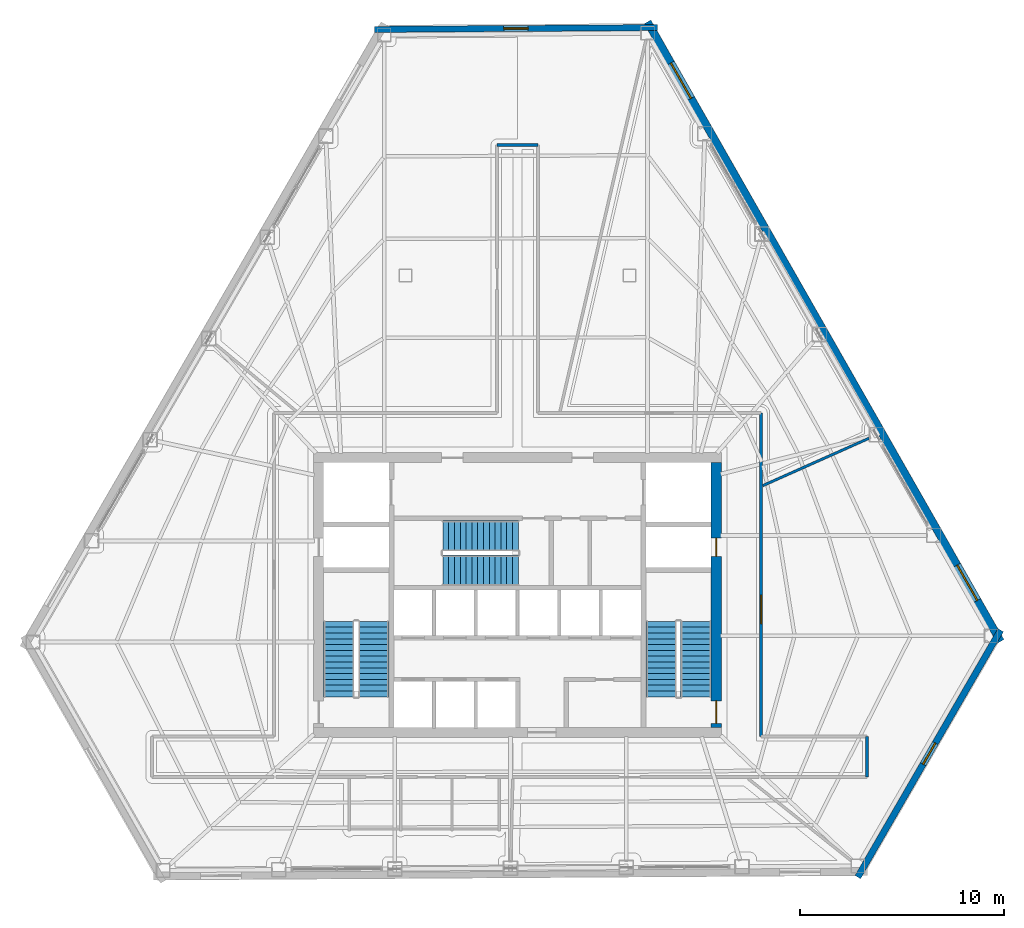
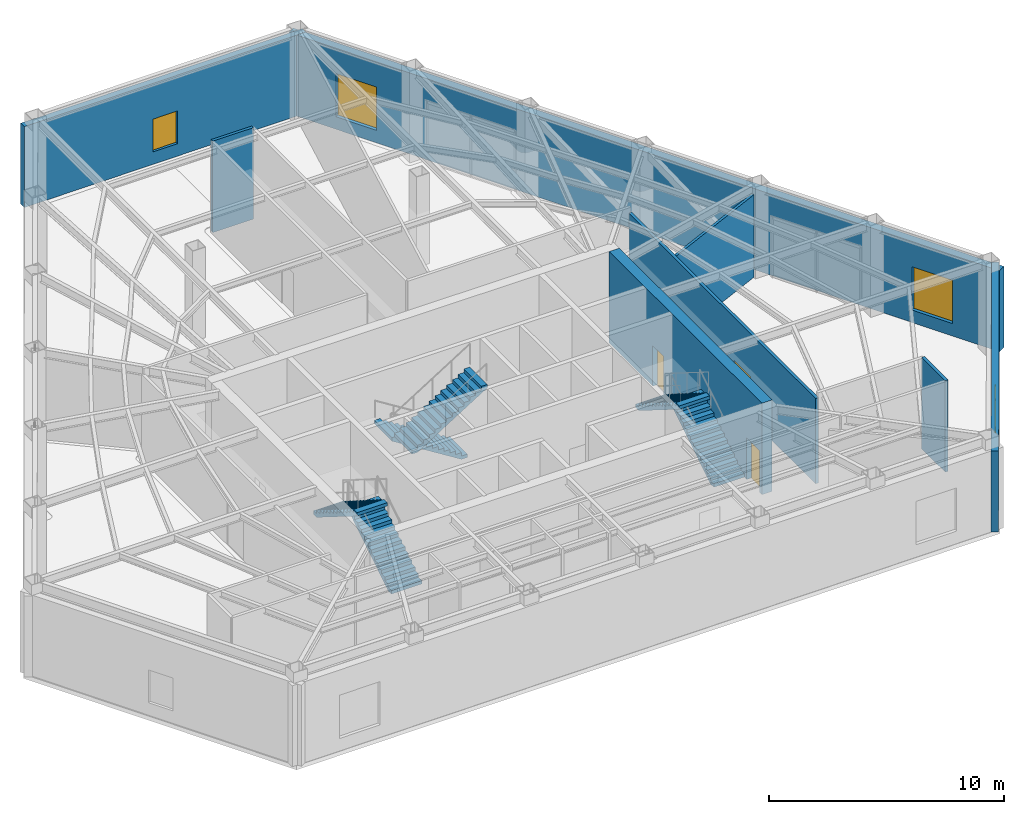
# One storey, part 11 of 14: 8 walls, 6 stair flights, 4 windows, 3 doors, 7 openings, 3 elements without a shape of their own.
"""IFC4 building model written with IfcOpenShell, lengths in metres."""

from ifc_helpers import new_model, si_unit, direction, frame, frame_2d, origin, place, context, subcontext, project, spatial, polyline, rectangle, outline, extrude, material, layer, layer_set, type_object, element, fill, aggregate, save


model = new_model("IFC4")

# Units and contexts
model_context = context("Model", 3, precision=1e-05, world=origin(), true_north=direction((0.0, 1.0)))
body_context = subcontext(model_context, "Body", "Model", "MODEL_VIEW")
ifc_project = project(units=[si_unit("LENGTHUNIT", "METRE"), si_unit("AREAUNIT", "SQUARE_METRE"), si_unit("VOLUMEUNIT", "CUBIC_METRE"), si_unit("PLANEANGLEUNIT", "RADIAN"), si_unit("MASSUNIT", "GRAM", prefix="KILO")], contexts=[model_context])

# Site, building, storey
site_placement = place(None, origin())
site = spatial("IfcSite", under=ifc_project, at=site_placement, CompositionType="ELEMENT")
building_placement = place(site_placement, origin())
building = spatial("IfcBuilding", under=site, at=building_placement, Name="Kavelnor Concourse Tower", CompositionType="ELEMENT")
storey_placement = place(building_placement, frame((0.0, 0.0, 80.5)))
storey = spatial("IfcBuildingStorey", under=building, at=storey_placement, Name="L20", CompositionType="ELEMENT", Elevation=80.5)

# Wall, openings, doors
ifc_material_1 = material(Name="Concrete C60/75", Category="concrete")
ifc_layer_1 = layer(ifc_material_1, 0.5, Name="Concrete C60/75")
ifc_layer_set_1 = layer_set([ifc_layer_1], Name="Concrete C60/75")
wall_type_1 = type_object("IfcWallType", Name="WL-CORE-Z2-500", PredefinedType="SOLIDWALL", material=ifc_layer_set_1)
wall_1_placement = place(storey_placement, frame((47.77001953125, 9.60009765625, 0.0), z_axis=(0.0, 0.0, 1.0), x_axis=(0.0, 1.0, 0.0)))
wall_1 = element("IfcWall", 1, at=wall_1_placement, inside=storey, type_object=wall_type_1, Name="L20 Central Core East Shear Wall", PredefinedType="SOLIDWALL", context=body_context, shape_type="SweptSolid", body=[
    extrude(rectangle(XDim=13.0, YDim=0.5, at=frame_2d((6.5, 0.0))), origin(), (0.0, 0.0, 1.0), 4.75),
])
opening_1_placement = place(wall_1_placement, frame((0.199951171875, 0.0, 0.0)))
opening_1 = element("IfcOpeningElement", 2, at=opening_1_placement, cuts=wall_1, Name="Opening FD-110", PredefinedType="OPENING", context=body_context, shape_type="SweptSolid", body=[
    extrude(rectangle(XDim=1.10009765625, YDim=2.14990234375, at=frame_2d((0.550048828125, 1.074951171875))), frame((0.0, 0.260009765625, 0.0), z_axis=(0.0, -1.0, 0.0), x_axis=(1.0, 0.0, 0.0)), (0.0, 0.0, 1.0), 0.52001953125),
])
opening_2_placement = place(wall_1_placement, frame((8.39990234375, 0.0, 0.0)))
opening_2 = element("IfcOpeningElement", 3, at=opening_2_placement, cuts=wall_1, Name="Opening FD-090", PredefinedType="OPENING", context=body_context, shape_type="SweptSolid", body=[
    extrude(rectangle(XDim=0.89990234375, YDim=2.10009765625, at=frame_2d((0.449951171875, 1.050048828125))), frame((0.0, 0.260009765625, 0.0), z_axis=(0.0, -1.0, 0.0), x_axis=(1.0, 0.0, 0.0)), (0.0, 0.0, 1.0), 0.52001953125),
])
ifc_material_2 = material(Name="Steel Grade 350", Category="steel")
door_type_1 = type_object("IfcDoorType", Name="DR-RISER-FIRE-900", OperationType="NOTDEFINED", PredefinedType="DOOR", material=ifc_material_2)
door_1_placement = place(opening_2_placement, origin())
door_1 = element("IfcDoor", 4, at=door_1_placement, inside=storey, type_object=door_type_1, Name="L20 East Riser Access Door", OperationType="SINGLE_SWING_LEFT", OverallHeight=2.10009765625, OverallWidth=0.89990234375, PredefinedType="DOOR", context=body_context, shape_type="SweptSolid", body=[
    extrude(rectangle(XDim=0.89990234375, YDim=2.10009765625, at=frame_2d((0.449951171875, 1.050048828125))), frame((0.0, 0.02490234375, 0.0), z_axis=(0.0, -1.0, 0.0), x_axis=(1.0, 0.0, 0.0)), (0.0, 0.0, 1.0), 0.050048828125),
])
fill(opening_2, door_1)
door_type_2 = type_object("IfcDoorType", Name="DR-STAIR-FIRE-1100", OperationType="NOTDEFINED", PredefinedType="DOOR", material=ifc_material_2)
door_2_placement = place(opening_1_placement, origin())
door_2 = element("IfcDoor", 5, at=door_2_placement, inside=storey, type_object=door_type_2, Name="L20 Stair ST2 Fire Door", OperationType="SINGLE_SWING_RIGHT", OverallHeight=2.14990234375, OverallWidth=1.10009765625, PredefinedType="DOOR", context=body_context, shape_type="SweptSolid", body=[
    extrude(rectangle(XDim=1.10009765625, YDim=2.14990234375, at=frame_2d((0.550048828125, 1.074951171875))), frame((0.0, 0.02490234375, 0.0), z_axis=(0.0, -1.0, 0.0), x_axis=(1.0, 0.0, 0.0)), (0.0, 0.0, 1.0), 0.050048828125),
])
fill(opening_1, door_2)

# Wall, opening, window
ifc_material_3 = material(Name="Buff ironspot clay face brick masonry", Category="masonry")
ifc_layer_2 = layer(ifc_material_3, 0.300048828125, Name="Buff ironspot clay face brick masonry")
ifc_layer_set_2 = layer_set([ifc_layer_2], Name="Buff ironspot clay face brick masonry")
wall_type_2 = type_object("IfcWallType", Name="WL-EXT-BUFF-BRICK-FOLD-300", PredefinedType="STANDARD", material=ifc_layer_set_2)
wall_2_placement = place(storey_placement, frame((30.981201171875, 43.8896484375, 0.0), z_axis=(0.0, 0.0, 1.0), x_axis=(0.999979308796, 0.006432882677, 0.0)))
wall_2 = element("IfcWall", 6, at=wall_2_placement, inside=storey, type_object=wall_type_2, Name="L20 Exterior Brick Facade Wall E0", PredefinedType="STANDARD", context=body_context, shape_type="SweptSolid", body=[
    extrude(rectangle(XDim=13.890380859375, YDim=0.300048828125, at=frame_2d((6.9453125, 0.0))), origin(), (0.0, 0.0, 1.0), 4.208984375),
])
opening_3_placement = place(wall_2_placement, frame((6.34521484375, 0.0, 0.64990234375)))
opening_3 = element("IfcOpeningElement", 7, at=opening_3_placement, cuts=wall_2, Name="Opening W-05", PredefinedType="OPENING", context=body_context, shape_type="SweptSolid", body=[
    extrude(rectangle(XDim=1.199951171875, YDim=1.699951171875, at=frame_2d((0.60009765625, 0.85009765625))), frame((0.0, 0.16015625, 0.0), z_axis=(0.0, -1.0, 0.0), x_axis=(1.0, 0.0, 0.0)), (0.0, 0.0, 1.0), 0.320068359375),
])
ifc_material_4 = material(Name="Double low-E argon insulated glazing", Category="glass")
window_type_1 = type_object("IfcWindowType", Name="WIN-FOLD-1200", PartitioningType="SINGLE_PANEL", PredefinedType="WINDOW", material=ifc_material_4)
window_1_placement = place(opening_3_placement, origin())
window_1 = element("IfcWindow", 8, at=window_1_placement, inside=storey, type_object=window_type_1, Name="L20 Chamfer-Fold Facet Window C0", OverallHeight=1.699951171875, OverallWidth=1.199951171875, PartitioningType="SINGLE_PANEL", PredefinedType="WINDOW", context=body_context, shape_type="SweptSolid", body=[
    extrude(rectangle(XDim=1.199951171875, YDim=1.699951171875, at=frame_2d((0.60009765625, 0.85009765625))), frame((0.0, 0.030029296875, 0.0), z_axis=(0.0, -1.0, 0.0), x_axis=(1.0, 0.0, 0.0)), (0.0, 0.0, 1.0), 0.06005859375),
])
fill(opening_3, window_1)

ifc_layer_3 = layer(ifc_material_3, 0.320068359375, Name="Buff ironspot clay face brick masonry")
ifc_layer_set_3 = layer_set([ifc_layer_3], Name="Buff ironspot clay face brick masonry")
wall_type_3 = type_object("IfcWallType", Name="WL-EXT-BUFF-BRICK-SPANDREL-320", PredefinedType="STANDARD", material=ifc_layer_set_3)
wall_3_placement = place(storey_placement, frame((61.740234375, 14.37548828125, 0.0), z_axis=(0.0, 0.0, 1.0), x_axis=(-0.50077538948, -0.865577269394, 0.0)))
wall_3 = element("IfcWall", 9, at=wall_3_placement, inside=storey, type_object=wall_type_3, Name="L20 Exterior Brick Facade Wall E4", PredefinedType="STANDARD", context=body_context, shape_type="SweptSolid", body=[
    extrude(rectangle(XDim=14.019287109375, YDim=0.320068359375, at=frame_2d((7.009765625, 0.0))), origin(), (0.0, 0.0, 1.0), 4.208984375),
])
opening_4_placement = place(wall_3_placement, frame((6.40966796875, 0.0, 0.64990234375)))
opening_4 = element("IfcOpeningElement", 10, at=opening_4_placement, cuts=wall_3, Name="Opening W-05", PredefinedType="OPENING", context=body_context, shape_type="SweptSolid", body=[
    extrude(rectangle(XDim=1.199951171875, YDim=1.699951171875, at=frame_2d((0.60009765625, 0.85009765625))), frame((0.0, 0.169921875, 0.0), z_axis=(0.0, -1.0, 0.0), x_axis=(1.0, 0.0, 0.0)), (0.0, 0.0, 1.0), 0.340087890625),
])
window_2_placement = place(opening_4_placement, origin())
window_2 = element("IfcWindow", 11, at=window_2_placement, inside=storey, type_object=window_type_1, Name="L20 Chamfer-Fold Facet Window C2", OverallHeight=1.699951171875, OverallWidth=1.199951171875, PartitioningType="SINGLE_PANEL", PredefinedType="WINDOW", context=body_context, shape_type="SweptSolid", body=[
    extrude(rectangle(XDim=1.199951171875, YDim=1.699951171875, at=frame_2d((0.60009765625, 0.85009765625))), frame((0.0, 0.030029296875, 0.0), z_axis=(0.0, -1.0, 0.0), x_axis=(1.0, 0.0, 0.0)), (0.0, 0.0, 1.0), 0.06005859375),
])
fill(opening_4, window_2)

# Wall, openings, windows
ifc_material_5 = material(Name="Red-ochre clay face brick masonry", Category="masonry")
ifc_layer_4 = layer(ifc_material_5, 0.3798828125, Name="Red-ochre clay face brick masonry")
ifc_layer_set_4 = layer_set([ifc_layer_4], Name="Red-ochre clay face brick masonry")
wall_type_4 = type_object("IfcWallType", Name="WL-EXT-RED-BRICK-PIER-380", PredefinedType="STANDARD", material=ifc_layer_set_4)
wall_4_placement = place(storey_placement, frame((44.388671875, 44.25732421875, 0.0), z_axis=(0.0, 0.0, 1.0), x_axis=(0.495210354805, -0.868773102999, 0.0)))
wall_4 = element("IfcWall", 12, at=wall_4_placement, inside=storey, type_object=wall_type_4, Name="L20 Exterior Brick Facade Wall E5", PredefinedType="STANDARD", context=body_context, shape_type="SweptSolid", body=[
    extrude(rectangle(XDim=35.035400390625, YDim=0.3798828125, at=frame_2d((17.517578125, 0.0))), origin(), (0.0, 0.0, 1.0), 4.208984375),
])
opening_5_placement = place(wall_4_placement, frame((30.719970703125, 0.0, 0.64990234375)))
opening_5 = element("IfcOpeningElement", 13, at=opening_5_placement, cuts=wall_4, Name="Opening W-07", PredefinedType="OPENING", context=body_context, shape_type="SweptSolid", body=[
    extrude(rectangle(XDim=2.0, YDim=2.25, at=frame_2d((1.0, 1.125))), frame((0.0, 0.199951171875, 0.0), z_axis=(0.0, -1.0, 0.0), x_axis=(1.0, 0.0, 0.0)), (0.0, 0.0, 1.0), 0.39990234375),
])
opening_6_placement = place(wall_4_placement, frame((2.32080078125, 0.0, 0.64990234375)))
opening_6 = element("IfcOpeningElement", 14, at=opening_6_placement, cuts=wall_4, Name="Opening W-07", PredefinedType="OPENING", context=body_context, shape_type="SweptSolid", body=[
    extrude(rectangle(XDim=2.0, YDim=2.25, at=frame_2d((1.0, 1.125))), frame((0.0, 0.199951171875, 0.0), z_axis=(0.0, -1.0, 0.0), x_axis=(1.0, 0.0, 0.0)), (0.0, 0.0, 1.0), 0.39990234375),
])
window_type_2 = type_object("IfcWindowType", Name="WIN-SKYLOBBY-2200", PartitioningType="SINGLE_PANEL", PredefinedType="WINDOW", material=ifc_material_4)
window_3_placement = place(opening_5_placement, origin())
window_3 = element("IfcWindow", 15, at=window_3_placement, inside=storey, type_object=window_type_2, Name="L20 Deep-Set Brick Pier Window F2-B0", OverallHeight=2.25, OverallWidth=2.0, PartitioningType="SINGLE_PANEL", PredefinedType="WINDOW", context=body_context, shape_type="SweptSolid", body=[
    extrude(rectangle(XDim=2.0, YDim=2.25, at=frame_2d((1.0, 1.125))), frame((0.0, 0.030029296875, 0.0), z_axis=(0.0, -1.0, 0.0), x_axis=(1.0, 0.0, 0.0)), (0.0, 0.0, 1.0), 0.06005859375),
])
fill(opening_5, window_3)
window_4_placement = place(opening_6_placement, origin())
window_4 = element("IfcWindow", 16, at=window_4_placement, inside=storey, type_object=window_type_2, Name="L20 Deep-Set Brick Pier Window F2-B5", OverallHeight=2.25, OverallWidth=2.0, PartitioningType="SINGLE_PANEL", PredefinedType="WINDOW", context=body_context, shape_type="SweptSolid", body=[
    extrude(rectangle(XDim=2.0, YDim=2.25, at=frame_2d((1.0, 1.125))), frame((0.0, 0.030029296875, 0.0), z_axis=(0.0, -1.0, 0.0), x_axis=(1.0, 0.0, 0.0)), (0.0, 0.0, 1.0), 0.06005859375),
])
fill(opening_6, window_4)

# Wall
ifc_material_6 = material(Name="Gypsum plasterboard on light-gauge steel studs", Category="steel")
ifc_layer_5 = layer(ifc_material_6, 0.14501953125, Name="Gypsum plasterboard on light-gauge steel studs")
ifc_layer_set_5 = layer_set([ifc_layer_5], Name="Gypsum plasterboard on light-gauge steel studs")
wall_type_5 = type_object("IfcWallType", Name="WL-INT-CORR-145", PredefinedType="PARTITIONING", material=ifc_layer_set_5)
wall_5_placement = place(storey_placement, frame((37.0, 38.199951171875, 0.0), z_axis=(0.0, 0.0, 1.0), x_axis=(1.0, 0.0, 0.0)))
element("IfcWall", 17, at=wall_5_placement, inside=storey, type_object=wall_type_5, Name="L20 Corridor Wall WL-L20-CR-05", PredefinedType="PARTITIONING", context=body_context, shape_type="SweptSolid", body=[
    extrude(rectangle(XDim=2.0, YDim=0.14501953125, at=frame_2d((1.0, 0.0))), origin(), (0.0, 0.0, 1.0), 4.75),
])

# Wall, opening, door
wall_6_placement = place(storey_placement, frame((49.969970703125, 25.050048828125, 0.0), z_axis=(0.0, 0.0, 1.0), x_axis=(0.0, -1.0, 0.0)))
wall_6 = element("IfcWall", 18, at=wall_6_placement, inside=storey, type_object=wall_type_5, Name="L20 Corridor Wall WL-L20-CR-08", PredefinedType="PARTITIONING", context=body_context, shape_type="SweptSolid", body=[
    extrude(rectangle(XDim=15.900146484375, YDim=0.14501953125, at=frame_2d((7.9501953125, 0.0))), origin(), (0.0, 0.0, 1.0), 4.43798828125),
])
opening_7_placement = place(wall_6_placement, frame((8.95458984375, 0.0, 0.0)))
opening_7 = element("IfcOpeningElement", 19, at=opening_7_placement, cuts=wall_6, Name="Opening SD-140", PredefinedType="OPENING", context=body_context, shape_type="SweptSolid", body=[
    extrude(rectangle(XDim=1.39990234375, YDim=2.199951171875, at=frame_2d((0.699951171875, 1.10009765625))), frame((0.0, 0.08251953125, 0.0), z_axis=(0.0, -1.0, 0.0), x_axis=(1.0, 0.0, 0.0)), (0.0, 0.0, 1.0), 0.1650390625),
])
ifc_material_7 = material(Name="Solid-core hardwood timber", Category="wood")
door_type_3 = type_object("IfcDoorType", Name="DR-SUITE-ENTRY-1400", OperationType="NOTDEFINED", PredefinedType="DOOR", material=ifc_material_7)
door_3_placement = place(opening_7_placement, origin())
door_3 = element("IfcDoor", 20, at=door_3_placement, inside=storey, type_object=door_type_3, Name="L20 Sky Servery Pantry 05 Door", OperationType="SINGLE_SWING_RIGHT", OverallHeight=2.199951171875, OverallWidth=1.39990234375, PredefinedType="DOOR", context=body_context, shape_type="SweptSolid", body=[
    extrude(rectangle(XDim=1.39990234375, YDim=2.199951171875, at=frame_2d((0.699951171875, 1.10009765625))), frame((0.0, 0.02490234375, 0.0), z_axis=(0.0, -1.0, 0.0), x_axis=(1.0, 0.0, 0.0)), (0.0, 0.0, 1.0), 0.050048828125),
])
fill(opening_7, door_3)

# Walls
wall_7_placement = place(storey_placement, frame((55.181884765625, 9.14990234375, 0.0), z_axis=(0.0, 0.0, 1.0), x_axis=(0.0, -1.0, 0.0)))
element("IfcWall", 21, at=wall_7_placement, inside=storey, type_object=wall_type_5, Name="L20 Corridor Wall WL-L20-CR-10", PredefinedType="PARTITIONING", context=body_context, shape_type="SweptSolid", body=[
    extrude(rectangle(XDim=2.0, YDim=0.14501953125, at=frame_2d((1.0, 0.0))), origin(), (0.0, 0.0, 1.0), 4.75),
])
ifc_layer_6 = layer(ifc_material_6, 0.125, Name="Gypsum plasterboard on light-gauge steel studs")
ifc_layer_set_6 = layer_set([ifc_layer_6], Name="Gypsum plasterboard on light-gauge steel studs")
wall_type_6 = type_object("IfcWallType", Name="WL-INT-SUITE-125", PredefinedType="PARTITIONING", material=ifc_layer_set_6)
wall_8_placement = place(storey_placement, frame((50.050537109375, 21.473876953125, 0.0), z_axis=(0.0, 0.0, 1.0), x_axis=(0.91329866802, 0.407290489692, 0.0)))
element("IfcWall", 22, at=wall_8_placement, inside=storey, type_object=wall_type_6, Name="L20 Radial Suite Partition 01", PredefinedType="PARTITIONING", context=body_context, shape_type="SweptSolid", body=[
    extrude(rectangle(XDim=5.72021484375, YDim=0.125, at=frame_2d((2.860107421875, 0.0))), origin(), (0.0, 0.0, 1.0), 4.291015625),
])

# Stair, stair flights
ifc_material_8 = material(Name="Concrete C40/50", Category="concrete")
stair_type = type_object("IfcStairType", Name="STR-CORE-1500", PredefinedType="HALF_TURN_STAIR", material=ifc_material_8)
stair_1_placement = place(storey_placement, origin())
stair_1 = element("IfcStair", 23, at=stair_1_placement, inside=storey, type_object=stair_type, Name="L20 ST1", PredefinedType="HALF_TURN_STAIR")
stair_flight_type = type_object("IfcStairFlightType", Name="STR-FLIGHT-1500", PredefinedType="STRAIGHT", material=ifc_material_8)
stair_flight_1_placement = place(storey_placement, frame((30.929931640625, 11.10009765625, 0.0), z_axis=(0.0, 0.0, 1.0), x_axis=(0.0, 1.0, 0.0)))
stair_flight_1 = element("IfcStairFlight", 24, at=stair_flight_1_placement, type_object=stair_flight_type, Name="ST1 flight 1", NumberOfRisers=14, NumberOfTreads=13, PredefinedType="STRAIGHT", RiserHeight=0.178571429, TreadLength=0.285, context=body_context, shape_type="SweptSolid", body=[
    extrude(outline(polyline([(0.0, 0.0), (0.0, 0.178466796875), (0.284912109375, 0.178466796875), (0.284912109375, 0.357177734375), (0.570068359375, 0.357177734375), (0.570068359375, 0.53564453125), (0.85498046875, 0.53564453125), (0.85498046875, 0.71435546875), (1.139892578125, 0.71435546875), (1.139892578125, 0.892822265625), (1.425048828125, 0.892822265625), (1.425048828125, 1.071533203125), (1.7099609375, 1.071533203125), (1.7099609375, 1.25), (1.9951171875, 1.25), (1.9951171875, 1.428466796875), (2.280029296875, 1.428466796875), (2.280029296875, 1.607177734375), (2.56494140625, 1.607177734375), (2.56494140625, 1.78564453125), (2.85009765625, 1.78564453125), (2.85009765625, 1.96435546875), (3.135009765625, 1.96435546875), (3.135009765625, 2.142822265625), (3.419921875, 2.142822265625), (3.419921875, 2.321533203125), (3.705078125, 2.321533203125), (3.705078125, 2.5), (3.705078125, 2.14453125), (0.2822265625, 0.0), (0.0, 0.0)])), frame((0.0, 0.75, 0.0), z_axis=(0.0, -1.0, 0.0), x_axis=(1.0, 0.0, 0.0)), (0.0, 0.0, 1.0), 1.5),
])
stair_flight_2_placement = place(storey_placement, frame((29.22998046875, 14.804931640625, 2.5), z_axis=(0.0, 0.0, 1.0), x_axis=(0.0, -1.0, 0.0)))
stair_flight_2 = element("IfcStairFlight", 25, at=stair_flight_2_placement, type_object=stair_flight_type, Name="ST1 flight 2", NumberOfRisers=14, NumberOfTreads=13, PredefinedType="STRAIGHT", RiserHeight=0.178571429, TreadLength=0.285, context=body_context, shape_type="SweptSolid", body=[
    extrude(outline(polyline([(0.0, 0.0), (0.0, 0.178466796875), (0.284912109375, 0.178466796875), (0.284912109375, 0.357177734375), (0.570068359375, 0.357177734375), (0.570068359375, 0.53564453125), (0.85498046875, 0.53564453125), (0.85498046875, 0.71435546875), (1.139892578125, 0.71435546875), (1.139892578125, 0.892822265625), (1.425048828125, 0.892822265625), (1.425048828125, 1.071533203125), (1.7099609375, 1.071533203125), (1.7099609375, 1.25), (1.9951171875, 1.25), (1.9951171875, 1.428466796875), (2.280029296875, 1.428466796875), (2.280029296875, 1.607177734375), (2.56494140625, 1.607177734375), (2.56494140625, 1.78564453125), (2.85009765625, 1.78564453125), (2.85009765625, 1.96435546875), (3.135009765625, 1.96435546875), (3.135009765625, 2.142822265625), (3.419921875, 2.142822265625), (3.419921875, 2.321533203125), (3.705078125, 2.321533203125), (3.705078125, 2.5), (3.705078125, 2.14453125), (0.2822265625, 0.0), (0.0, 0.0)])), frame((0.0, 0.75, 0.0), z_axis=(0.0, -1.0, 0.0), x_axis=(1.0, 0.0, 0.0)), (0.0, 0.0, 1.0), 1.5),
])
aggregate(stair_1, [stair_flight_1, stair_flight_2])

stair_2_placement = place(storey_placement, origin())
stair_2 = element("IfcStair", 26, at=stair_2_placement, inside=storey, type_object=stair_type, Name="L20 ST2", PredefinedType="HALF_TURN_STAIR")
stair_flight_3_placement = place(storey_placement, frame((46.77001953125, 11.10009765625, 0.0), z_axis=(0.0, 0.0, 1.0), x_axis=(0.0, 1.0, 0.0)))
stair_flight_3 = element("IfcStairFlight", 27, at=stair_flight_3_placement, type_object=stair_flight_type, Name="ST2 flight 1", NumberOfRisers=14, NumberOfTreads=13, PredefinedType="STRAIGHT", RiserHeight=0.178571429, TreadLength=0.285, context=body_context, shape_type="SweptSolid", body=[
    extrude(outline(polyline([(0.0, 0.0), (0.0, 0.178466796875), (0.284912109375, 0.178466796875), (0.284912109375, 0.357177734375), (0.570068359375, 0.357177734375), (0.570068359375, 0.53564453125), (0.85498046875, 0.53564453125), (0.85498046875, 0.71435546875), (1.139892578125, 0.71435546875), (1.139892578125, 0.892822265625), (1.425048828125, 0.892822265625), (1.425048828125, 1.071533203125), (1.7099609375, 1.071533203125), (1.7099609375, 1.25), (1.9951171875, 1.25), (1.9951171875, 1.428466796875), (2.280029296875, 1.428466796875), (2.280029296875, 1.607177734375), (2.56494140625, 1.607177734375), (2.56494140625, 1.78564453125), (2.85009765625, 1.78564453125), (2.85009765625, 1.96435546875), (3.135009765625, 1.96435546875), (3.135009765625, 2.142822265625), (3.419921875, 2.142822265625), (3.419921875, 2.321533203125), (3.705078125, 2.321533203125), (3.705078125, 2.5), (3.705078125, 2.14453125), (0.2822265625, 0.0), (0.0, 0.0)])), frame((0.0, 0.75, 0.0), z_axis=(0.0, -1.0, 0.0), x_axis=(1.0, 0.0, 0.0)), (0.0, 0.0, 1.0), 1.5),
])
stair_flight_4_placement = place(storey_placement, frame((45.070068359375, 14.804931640625, 2.5), z_axis=(0.0, 0.0, 1.0), x_axis=(0.0, -1.0, 0.0)))
stair_flight_4 = element("IfcStairFlight", 28, at=stair_flight_4_placement, type_object=stair_flight_type, Name="ST2 flight 2", NumberOfRisers=14, NumberOfTreads=13, PredefinedType="STRAIGHT", RiserHeight=0.178571429, TreadLength=0.285, context=body_context, shape_type="SweptSolid", body=[
    extrude(outline(polyline([(0.0, 0.0), (0.0, 0.178466796875), (0.284912109375, 0.178466796875), (0.284912109375, 0.357177734375), (0.570068359375, 0.357177734375), (0.570068359375, 0.53564453125), (0.85498046875, 0.53564453125), (0.85498046875, 0.71435546875), (1.139892578125, 0.71435546875), (1.139892578125, 0.892822265625), (1.425048828125, 0.892822265625), (1.425048828125, 1.071533203125), (1.7099609375, 1.071533203125), (1.7099609375, 1.25), (1.9951171875, 1.25), (1.9951171875, 1.428466796875), (2.280029296875, 1.428466796875), (2.280029296875, 1.607177734375), (2.56494140625, 1.607177734375), (2.56494140625, 1.78564453125), (2.85009765625, 1.78564453125), (2.85009765625, 1.96435546875), (3.135009765625, 1.96435546875), (3.135009765625, 2.142822265625), (3.419921875, 2.142822265625), (3.419921875, 2.321533203125), (3.705078125, 2.321533203125), (3.705078125, 2.5), (3.705078125, 2.14453125), (0.2822265625, 0.0), (0.0, 0.0)])), frame((0.0, 0.75, 0.0), z_axis=(0.0, -1.0, 0.0), x_axis=(1.0, 0.0, 0.0)), (0.0, 0.0, 1.0), 1.5),
])
aggregate(stair_2, [stair_flight_3, stair_flight_4])

stair_3_placement = place(storey_placement, origin())
stair_3 = element("IfcStair", 29, at=stair_3_placement, inside=storey, type_object=stair_type, Name="L20 ST3", PredefinedType="HALF_TURN_STAIR")
stair_flight_5_placement = place(storey_placement, frame((38.0400390625, 19.010009765625, 0.0), z_axis=(0.0, 0.0, 1.0), x_axis=(-1.0, 0.0, 0.0)))
stair_flight_5 = element("IfcStairFlight", 30, at=stair_flight_5_placement, type_object=stair_flight_type, Name="ST3 flight 1", NumberOfRisers=14, NumberOfTreads=13, PredefinedType="STRAIGHT", RiserHeight=0.178571429, TreadLength=0.285, context=body_context, shape_type="SweptSolid", body=[
    extrude(outline(polyline([(0.0, 0.0), (0.0, 0.178466796875), (0.284912109375, 0.178466796875), (0.284912109375, 0.357177734375), (0.570068359375, 0.357177734375), (0.570068359375, 0.53564453125), (0.85498046875, 0.53564453125), (0.85498046875, 0.71435546875), (1.139892578125, 0.71435546875), (1.139892578125, 0.892822265625), (1.425048828125, 0.892822265625), (1.425048828125, 1.071533203125), (1.7099609375, 1.071533203125), (1.7099609375, 1.25), (1.9951171875, 1.25), (1.9951171875, 1.428466796875), (2.280029296875, 1.428466796875), (2.280029296875, 1.607177734375), (2.56494140625, 1.607177734375), (2.56494140625, 1.78564453125), (2.85009765625, 1.78564453125), (2.85009765625, 1.96435546875), (3.135009765625, 1.96435546875), (3.135009765625, 2.142822265625), (3.419921875, 2.142822265625), (3.419921875, 2.321533203125), (3.705078125, 2.321533203125), (3.705078125, 2.5), (3.705078125, 2.14453125), (0.2822265625, 0.0), (0.0, 0.0)])), frame((0.0, 0.75, 0.0), z_axis=(0.0, -1.0, 0.0), x_axis=(1.0, 0.0, 0.0)), (0.0, 0.0, 1.0), 1.5),
])
stair_flight_6_placement = place(storey_placement, frame((34.3349609375, 17.31005859375, 2.5), z_axis=(0.0, 0.0, 1.0), x_axis=(1.0, 0.0, 0.0)))
stair_flight_6 = element("IfcStairFlight", 31, at=stair_flight_6_placement, type_object=stair_flight_type, Name="ST3 flight 2", NumberOfRisers=14, NumberOfTreads=13, PredefinedType="STRAIGHT", RiserHeight=0.178571429, TreadLength=0.285, context=body_context, shape_type="SweptSolid", body=[
    extrude(outline(polyline([(0.0, 0.0), (0.0, 0.178466796875), (0.284912109375, 0.178466796875), (0.284912109375, 0.357177734375), (0.570068359375, 0.357177734375), (0.570068359375, 0.53564453125), (0.85498046875, 0.53564453125), (0.85498046875, 0.71435546875), (1.139892578125, 0.71435546875), (1.139892578125, 0.892822265625), (1.425048828125, 0.892822265625), (1.425048828125, 1.071533203125), (1.7099609375, 1.071533203125), (1.7099609375, 1.25), (1.9951171875, 1.25), (1.9951171875, 1.428466796875), (2.280029296875, 1.428466796875), (2.280029296875, 1.607177734375), (2.56494140625, 1.607177734375), (2.56494140625, 1.78564453125), (2.85009765625, 1.78564453125), (2.85009765625, 1.96435546875), (3.135009765625, 1.96435546875), (3.135009765625, 2.142822265625), (3.419921875, 2.142822265625), (3.419921875, 2.321533203125), (3.705078125, 2.321533203125), (3.705078125, 2.5), (3.705078125, 2.14453125), (0.2822265625, 0.0), (0.0, 0.0)])), frame((0.0, 0.75, 0.0), z_axis=(0.0, -1.0, 0.0), x_axis=(1.0, 0.0, 0.0)), (0.0, 0.0, 1.0), 1.5),
])
aggregate(stair_3, [stair_flight_5, stair_flight_6])

save(model, "model.ifc")
